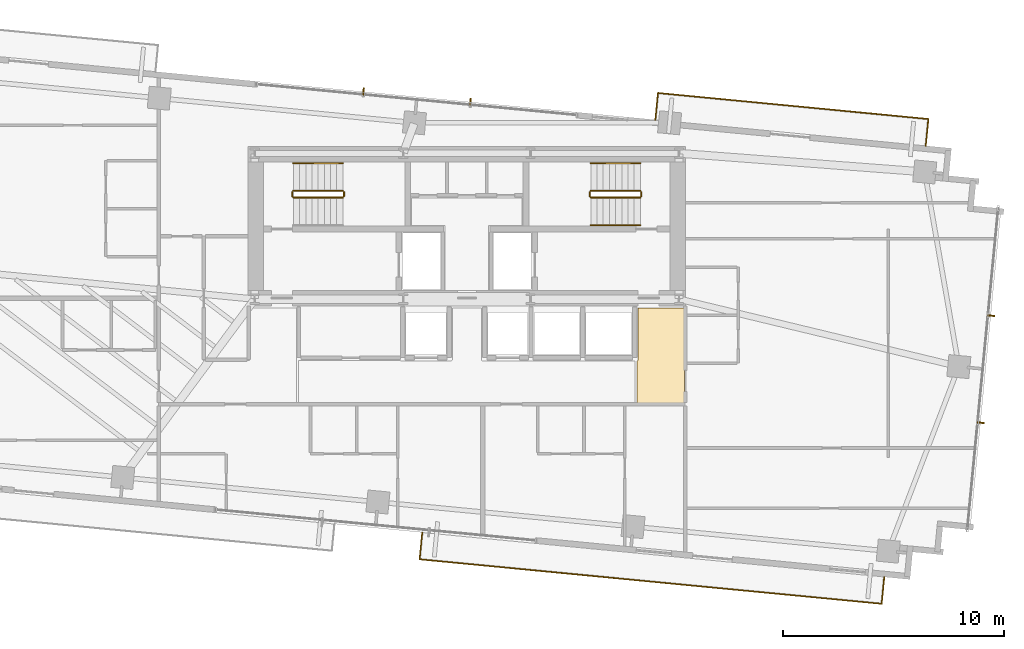
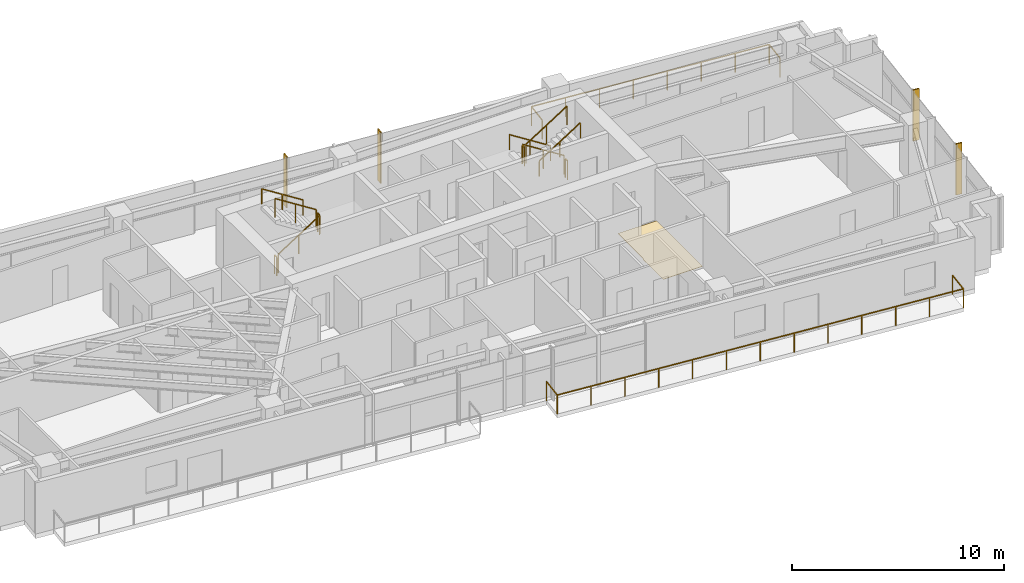
# One storey, part 20 of 20: 13 railings, 4 shading devices, 1 covering.
"""IFC4 building model written with IfcOpenShell, lengths in metres."""

import ifcopenshell
import ifcopenshell.guid

model = None  # the IFC model being written
_history = None  # IfcOwnerHistory: only IFC2X3 demands one
_inside = {}  # id of a spatial element -> (the spatial element, [elements in it])
_under = {}  # id of a project, library or spatial element -> (it, [spatial elements below it])
_declared = {}  # id of a project -> (the project, [libraries it declares])
_typed = {}  # id of a type object -> (the type object, [elements of that type])
_made_of = {}  # id of a material, layer set ... -> (it, [elements and type objects made of it])


def new_model(schema):
    """Start an empty IFC model of exactly this schema.

    Asked for "IFC4X3", IfcOpenShell would pick the latest addendum, in which some entities
    have other attributes; the version numbers below select the first issue.
    IFC2X3 requires an IfcOwnerHistory on every rooted entity: one is made here for all.
    """
    global model, _history
    if schema == "IFC4X3":
        model = ifcopenshell.file(schema_version=(4, 3, 0, 0))
    else:
        model = ifcopenshell.file(schema=schema)
    _inside.clear()
    _under.clear()
    _declared.clear()
    _typed.clear()
    _made_of.clear()
    _history = None
    if model.schema == "IFC2X3":
        org = make("IfcOrganization", Name="unknown")
        user = make(
            "IfcPersonAndOrganization",
            ThePerson=make("IfcPerson", FamilyName="unknown"),
            TheOrganization=org,
        )
        app = make(
            "IfcApplication",
            ApplicationDeveloper=org,
            Version="unknown",
            ApplicationFullName="unknown",
            ApplicationIdentifier="unknown",
        )
        _history = make(
            "IfcOwnerHistory",
            OwningUser=user,
            OwningApplication=app,
            ChangeAction="ADDED",
            CreationDate=0,
        )
    return model


def make(cls, **values):
    """One entity of the class cls with the attributes given. An attribute that is None is left unset."""
    return model.create_entity(
        cls, **{name: value for name, value in values.items() if value is not None}
    )


def rooted(cls, **values):
    """An entity with a GlobalId (a new one), such as an element, a storey or a relation."""
    return make(cls, GlobalId=ifcopenshell.guid.new(), OwnerHistory=_history, **values)


def si_unit(unit_type, name, prefix=None):
    """IfcSIUnit, for example si_unit("LENGTHUNIT", "METRE", prefix="MILLI")."""
    return make("IfcSIUnit", UnitType=unit_type, Prefix=prefix, Name=name)


def assignment(units):
    """IfcUnitAssignment: the units of a project."""
    return None if units is None else make("IfcUnitAssignment", Units=units)


def point(xyz):
    """IfcCartesianPoint."""
    return None if xyz is None else make("IfcCartesianPoint", Coordinates=xyz)


def direction(xyz):
    """IfcDirection."""
    return None if xyz is None else make("IfcDirection", DirectionRatios=xyz)


def frame(location, z_axis=None, x_axis=None):
    """IfcAxis2Placement3D, a coordinate frame: its origin and axes. An axis left out is left unset."""
    return make(
        "IfcAxis2Placement3D",
        Location=point(location),
        Axis=direction(z_axis),
        RefDirection=direction(x_axis),
    )


def frame_2d(location, x_axis=None):
    """IfcAxis2Placement2D, a coordinate frame in the plane: its origin and x axis."""
    return make(
        "IfcAxis2Placement2D", Location=point(location), RefDirection=direction(x_axis)
    )


def origin():
    """The frame at (0, 0, 0) with its axes left unset."""
    return frame((0.0, 0.0, 0.0))


def origin_2d():
    """The frame at (0, 0) in the plane with its x axis left unset."""
    return frame_2d((0.0, 0.0))


def place(relative_to, where):
    """IfcLocalPlacement: puts the frame where relative to a parent placement (None: the world)."""
    return make(
        "IfcLocalPlacement", PlacementRelTo=relative_to, RelativePlacement=where
    )


def context(
    kind, dimensions, precision=None, world=None, true_north=None, identifier=None
):
    """IfcGeometricRepresentationContext, for example the 3D "Model" context."""
    return make(
        "IfcGeometricRepresentationContext",
        ContextIdentifier=identifier,
        ContextType=kind,
        CoordinateSpaceDimension=dimensions,
        Precision=precision,
        WorldCoordinateSystem=world,
        TrueNorth=true_north,
    )


def subcontext(parent, identifier, kind, view, scale=None):
    """IfcGeometricRepresentationSubContext, for example "Body" below "Model"."""
    return make(
        "IfcGeometricRepresentationSubContext",
        ContextIdentifier=identifier,
        ContextType=kind,
        ParentContext=parent,
        TargetScale=scale,
        TargetView=view,
    )


def project(units=None, contexts=None):
    """IfcProject with its units and contexts."""
    return rooted(
        "IfcProject",
        Name="project",
        RepresentationContexts=contexts,
        UnitsInContext=assignment(units),
    )


def spatial(cls, under=None, at=None, **own):
    """A site, building, storey or space (cls), placed at a placement, below another one or the project."""
    s = rooted(cls, ObjectPlacement=at, **own)
    if under is not None:
        _under.setdefault(under.id(), (under, []))[1].append(s)
    return s


def polyline(points):
    """IfcPolyline through the points."""
    return make("IfcPolyline", Points=[point(p) for p in points])


def profile(cls, at=None, kind="AREA", **sizes):
    """A parametric profile (cls). Its sizes go by their IFC names, for example OverallWidth=200.0."""
    return make(cls, ProfileType=kind, Position=at, **sizes)


def rectangle(**sizes):
    """IfcRectangleProfileDef."""
    return profile("IfcRectangleProfileDef", **sizes)


def outline(outer, holes=None, kind="AREA"):
    """IfcArbitraryClosedProfileDef: a profile drawn as a closed curve; with holes, ...WithVoids."""
    if holes is None:
        return make("IfcArbitraryClosedProfileDef", ProfileType=kind, OuterCurve=outer)
    return make(
        "IfcArbitraryProfileDefWithVoids",
        ProfileType=kind,
        OuterCurve=outer,
        InnerCurves=holes,
    )


def extrude(swept, where, along, depth):
    """IfcExtrudedAreaSolid: the profile swept, set in the frame where, extruded along a direction by depth."""
    return make(
        "IfcExtrudedAreaSolid",
        SweptArea=swept,
        Position=where,
        ExtrudedDirection=direction(along),
        Depth=depth,
    )


def shape(context_of_items, identifier, shape_type, items):
    """IfcShapeRepresentation: the items that make up one representation, for example the "Body"."""
    return make(
        "IfcShapeRepresentation",
        ContextOfItems=context_of_items,
        RepresentationIdentifier=identifier,
        RepresentationType=shape_type,
        Items=items,
    )


def source(mapping_origin, context_of_items, identifier, shape_type, items):
    """IfcRepresentationMap: a shape defined once, which mapped items show again and again."""
    return make(
        "IfcRepresentationMap",
        MappingOrigin=mapping_origin,
        MappedRepresentation=shape(context_of_items, identifier, shape_type, items),
    )


def transform(
    local_origin,
    x_axis=None,
    y_axis=None,
    z_axis=None,
    scale=None,
    scale2=None,
    scale3=None,
    uniform=True,
):
    """IfcCartesianTransformationOperator3D, or its non-uniform kind. x_axis, y_axis, z_axis: its Axis1, 2, 3."""
    if uniform:
        return make(
            "IfcCartesianTransformationOperator3D",
            Axis1=direction(x_axis),
            Axis2=direction(y_axis),
            LocalOrigin=point(local_origin),
            Scale=scale,
            Axis3=direction(z_axis),
        )
    return make(
        "IfcCartesianTransformationOperator3DnonUniform",
        Axis1=direction(x_axis),
        Axis2=direction(y_axis),
        LocalOrigin=point(local_origin),
        Scale=scale,
        Axis3=direction(z_axis),
        Scale2=scale2,
        Scale3=scale3,
    )


def mapped(mapping_source, mapping_target):
    """IfcMappedItem: shows the shape of a source again, moved by a transform."""
    return make(
        "IfcMappedItem", MappingSource=mapping_source, MappingTarget=mapping_target
    )


def material(Name=None, Category=None):
    """IfcMaterial."""
    return make("IfcMaterial", Name=Name, Category=Category)


def layer(
    of_material, thickness, ventilated=None, Name=None, Category=None, Priority=None
):
    """IfcMaterialLayer: one layer of a wall or slab, of a material (None: an air gap)."""
    return make(
        "IfcMaterialLayer",
        Material=of_material,
        LayerThickness=thickness,
        IsVentilated=ventilated,
        Name=Name,
        Category=Category,
        Priority=Priority,
    )


def layer_set(layers, Name=None):
    """IfcMaterialLayerSet."""
    return make("IfcMaterialLayerSet", MaterialLayers=layers, LayerSetName=Name)


def made_of(thing, what):
    """Note that an element or type object is made of a material, layer set ...; save() writes the relation."""
    if what is not None:
        _made_of.setdefault(what.id(), (what, []))[1].append(thing)
    return thing


def type_object(cls, material=None, **own):
    """A type object (cls), such as IfcWallType, which elements share."""
    return made_of(rooted(cls, **own), material)


def type_shapes(of_type, sources):
    """Give a type object the sources (RepresentationMaps) that its elements show as mapped items."""
    of_type.RepresentationMaps = sources


def element(
    cls,
    number,
    at=None,
    inside=None,
    cuts=None,
    type_object=None,
    material=None,
    context=None,
    identifier="Body",
    shape_type=None,
    held_by="IfcProductDefinitionShape",
    body=None,
    shapes=None,
    **own,
):
    """One element of the class cls, such as IfcWall. Its Tag is "e" and its number.

    at: its placement. inside: the storey or other place that contains it. cuts: it is an
    opening in that element (IfcRelVoidsElement). A single representation is given by context,
    identifier, shape_type and body (its items); several are given by shapes. held_by: the class
    of the entity that holds the representations. save() writes the other relations.
    """
    e = rooted(cls, Tag="e%d" % number, ObjectPlacement=at, **own)
    if body is not None:
        shapes = [shape(context, identifier, shape_type, body)]
    if shapes is not None:
        e.Representation = make(held_by, Representations=shapes)
    if inside is not None:
        _inside.setdefault(inside.id(), (inside, []))[1].append(e)
    if cuts is not None:
        rooted(
            "IfcRelVoidsElement", RelatingBuildingElement=cuts, RelatedOpeningElement=e
        )
    if type_object is not None:
        _typed.setdefault(type_object.id(), (type_object, []))[1].append(e)
    return made_of(e, material)


def aggregate(whole, parts):
    """IfcRelAggregates: a whole, such as a stair, and the parts it consists of."""
    return rooted("IfcRelAggregates", RelatingObject=whole, RelatedObjects=parts)


def save(model, path):
    """Write the relations noted so far, then the file.

    IfcRelAggregates (storeys below a building ...), IfcRelContainedInSpatialStructure (elements
    in a storey), IfcRelDefinesByType, IfcRelAssociatesMaterial and IfcRelDeclares: one each for
    every whole, place, type object, material and project.
    """
    for whole, parts in _under.values():
        aggregate(whole, parts)
    for where, things in _inside.values():
        rooted(
            "IfcRelContainedInSpatialStructure",
            RelatedElements=things,
            RelatingStructure=where,
        )
    for kind, things in _typed.values():
        rooted("IfcRelDefinesByType", RelatedObjects=things, RelatingType=kind)
    for what, things in _made_of.values():
        rooted("IfcRelAssociatesMaterial", RelatedObjects=things, RelatingMaterial=what)
    for by, libraries in _declared.values():
        rooted("IfcRelDeclares", RelatingContext=by, RelatedDefinitions=libraries)
    model.write(path)


model = new_model("IFC4")

# Units and contexts
model_context = context("Model", 3, precision=1e-05, world=origin(), true_north=direction((0.0, 1.0)))
body_context = subcontext(model_context, "Body", "Model", "MODEL_VIEW")
ifc_project = project(units=[si_unit("LENGTHUNIT", "METRE"), si_unit("AREAUNIT", "SQUARE_METRE"), si_unit("VOLUMEUNIT", "CUBIC_METRE"), si_unit("PLANEANGLEUNIT", "RADIAN"), si_unit("MASSUNIT", "GRAM", prefix="KILO")], contexts=[model_context])

# Site, building, storey
site_placement = place(None, origin())
site = spatial("IfcSite", under=ifc_project, at=site_placement, CompositionType="ELEMENT")
building_placement = place(site_placement, origin())
building = spatial("IfcBuilding", under=site, at=building_placement, Name="Astriad Promenade Condominiums", CompositionType="ELEMENT")
storey_placement = place(building_placement, frame((0.0, 0.0, 137.39990234375)))
storey = spatial("IfcBuildingStorey", under=building, at=storey_placement, Name="L39", CompositionType="ELEMENT", Elevation=137.39990234375)

# Covering
ifc_material_1 = material(Name="Polished Lakefront Terrazzo Flooring")
ifc_layer = layer(ifc_material_1, 0.02001953125)
ifc_layer_set = layer_set([ifc_layer], Name="Polished Lakefront Terrazzo Flooring")
covering_type = type_object("IfcCoveringType", Name="COV-FLOR-TERRAZZO-20", PredefinedType="FLOORING", material=ifc_layer_set)
covering_placement = place(storey_placement, origin())
element("IfcCovering", 1, at=covering_placement, inside=storey, type_object=covering_type, Name="FLR-L39-COR-1", PredefinedType="FLOORING", context=body_context, shape_type="SweptSolid", body=[
    extrude(outline(polyline([(43.699951171875, 12.68994140625), (43.699951171875, 14.610107421875), (43.703857421875, 14.610107421875), (43.707763671875, 14.61083984375), (43.711669921875, 14.61181640625), (43.71533203125, 14.613037109375), (43.718994140625, 14.61474609375), (43.72216796875, 14.61669921875), (43.725341796875, 14.619140625), (43.728271484375, 14.62158203125), (43.73095703125, 14.62451171875), (43.7333984375, 14.627685546875), (43.7353515625, 14.631103515625), (43.737060546875, 14.634765625), (43.73828125, 14.638427734375), (43.7392578125, 14.64208984375), (43.73974609375, 14.64599609375), (43.739990234375, 14.64990234375), (43.739990234375, 17.010009765625), (45.840087890625, 17.010009765625), (45.840087890625, 12.68994140625), (43.699951171875, 12.68994140625)])), origin(), (0.0, 0.0, 1.0), 0.02001953125),
])

# Shading devices
ifc_material_2 = material(Name="Anodised aluminium 6063-T6 Black Fin", Category="aluminium")
shading_device_type = type_object("IfcShadingDeviceType", Name="FIN-BLACK-260", PredefinedType="USERDEFINED", material=ifc_material_2)
shared_shape_1 = source(origin(), body_context, "Body", "SweptSolid", [
    extrude(rectangle(XDim=0.06494140625, YDim=0.320068359375, at=origin_2d()), origin(), (0.0, 0.0, 1.0), 2.93994140625),
])
type_shapes(shading_device_type, [shared_shape_1])
for number, where, z_axis, x_axis, name in (
    (2, (31.3212890625, 26.7978515625, 0.000244140625), (0.0, 0.0, 1.0), (0.995396198367, -0.09584575252, 0.0), "CW-L39-N-FIN-01"),
    (3, (36.1591796875, 26.331787109375, 0.000244140625), (0.0, 0.0, 1.0), (0.995396198367, -0.09584575252, 0.0), "CW-L39-N-FIN-02"),
    (4, (59.7197265625, 16.652587890625, 0.000244140625), (0.0, 0.0, 1.0), (-0.09584575252, -0.995396198367, 0.0), "CW-L39-E-FIN-01"),
    (5, (59.25341796875, 11.808349609375, 0.000244140625), (0.0, 0.0, 1.0), (-0.09584575252, -0.995396198367, 0.0), "CW-L39-E-FIN-02"),
):
    element("IfcShadingDevice", number, at=place(storey_placement, frame(where, z_axis=z_axis, x_axis=x_axis)), inside=storey, type_object=shading_device_type, Name=name, ObjectType="FIN", PredefinedType="USERDEFINED", context=body_context, shape_type="MappedRepresentation", body=[
        mapped(shared_shape_1, transform((0.0, 0.0, 0.0), scale=1.0)),
    ])

# Railings
ifc_material_3 = material(Name="Laminated Glass and Stainless Steel Balustrade", Category="steel")
railing_type_1 = type_object("IfcRailingType", Name="GRD-BALC-1120", PredefinedType="BALUSTRADE", material=ifc_material_3)
shared_shape_2 = source(origin(), body_context, "Body", "SweptSolid", [
    extrude(rectangle(XDim=0.048095703125, YDim=0.048095703125, at=origin_2d()), frame((0.0, 0.0, 1.09619140625), z_axis=(-0.0958382164, -0.995396923984, 0.0), x_axis=(0.995396923984, -0.0958382164, 0.0)), (0.0, 0.0, 1.0), 1.22021484375),
    extrude(rectangle(XDim=0.048095703125, YDim=0.048095703125, at=origin_2d()), frame((-0.116943359375, -1.214599609375, 1.09619140625), z_axis=(0.995396413586, -0.095843517357, 0.0), x_axis=(0.095843517357, 0.995396413586, 0.0)), (0.0, 0.0, 1.0), 21.0048828125),
    extrude(rectangle(XDim=0.048095703125, YDim=0.048095703125, at=origin_2d()), frame((20.791259765625, -3.227783203125, 1.09619140625), z_axis=(0.095857307208, 0.99539508571, 0.0), x_axis=(-0.99539508571, 0.095857307208, 0.0)), (0.0, 0.0, 1.0), 1.219970703125),
    extrude(rectangle(XDim=0.0419921875, YDim=0.0419921875, at=origin_2d()), origin(), (0.0, 0.0, 1.0), 1.072021484375),
    extrude(rectangle(XDim=0.0419921875, YDim=0.0419921875, at=origin_2d()), frame((-0.116943359375, -1.214599609375, 0.0)), (0.0, 0.0, 1.0), 1.072021484375),
    extrude(rectangle(XDim=0.0419921875, YDim=0.0419921875, at=origin_2d()), frame((1.62548828125, -1.38232421875, 0.0)), (0.0, 0.0, 1.0), 1.072021484375),
    extrude(rectangle(XDim=0.0419921875, YDim=0.0419921875, at=origin_2d()), frame((3.36767578125, -1.550048828125, 0.0)), (0.0, 0.0, 1.0), 1.072021484375),
    extrude(rectangle(XDim=0.0419921875, YDim=0.0419921875, at=origin_2d()), frame((5.110107421875, -1.7177734375, 0.0)), (0.0, 0.0, 1.0), 1.072021484375),
    extrude(rectangle(XDim=0.0419921875, YDim=0.0419921875, at=origin_2d()), frame((6.8525390625, -1.8857421875, 0.0)), (0.0, 0.0, 1.0), 1.072021484375),
    extrude(rectangle(XDim=0.0419921875, YDim=0.0419921875, at=origin_2d()), frame((8.5947265625, -2.053466796875, 0.0)), (0.0, 0.0, 1.0), 1.072021484375),
    extrude(rectangle(XDim=0.0419921875, YDim=0.0419921875, at=origin_2d()), frame((10.337158203125, -2.22119140625, 0.0)), (0.0, 0.0, 1.0), 1.072021484375),
    extrude(rectangle(XDim=0.0419921875, YDim=0.0419921875, at=origin_2d()), frame((12.07958984375, -2.388916015625, 0.0)), (0.0, 0.0, 1.0), 1.072021484375),
    extrude(rectangle(XDim=0.0419921875, YDim=0.0419921875, at=origin_2d()), frame((13.82177734375, -2.556640625, 0.0)), (0.0, 0.0, 1.0), 1.072021484375),
    extrude(rectangle(XDim=0.0419921875, YDim=0.0419921875, at=origin_2d()), frame((15.564208984375, -2.724609375, 0.0)), (0.0, 0.0, 1.0), 1.072021484375),
    extrude(rectangle(XDim=0.0419921875, YDim=0.0419921875, at=origin_2d()), frame((17.306640625, -2.892333984375, 0.0)), (0.0, 0.0, 1.0), 1.072021484375),
    extrude(rectangle(XDim=0.0419921875, YDim=0.0419921875, at=origin_2d()), frame((19.048828125, -3.06005859375, 0.0)), (0.0, 0.0, 1.0), 1.072021484375),
    extrude(rectangle(XDim=0.0419921875, YDim=0.0419921875, at=origin_2d()), frame((20.791259765625, -3.227783203125, 0.0)), (0.0, 0.0, 1.0), 1.072021484375),
    extrude(rectangle(XDim=0.0419921875, YDim=0.0419921875, at=origin_2d()), frame((20.908203125, -2.013427734375, 0.0)), (0.0, 0.0, 1.0), 1.072021484375),
])
railing_1_placement = place(storey_placement, frame((33.97900390625, 6.84130859375, 0.0)))
element("IfcRailing", 6, at=railing_1_placement, inside=storey, type_object=railing_type_1, Name="GRD-BALC-L39-SE", PredefinedType="BALUSTRADE", context=body_context, shape_type="MappedRepresentation", body=[
    mapped(shared_shape_2, transform((0.0, 0.0, 0.0), scale=1.0)),
])
shared_shape_3 = source(origin(), body_context, "Body", "SweptSolid", [
    extrude(rectangle(XDim=0.048095703125, YDim=0.048095703125, at=origin_2d()), frame((0.0, 0.0, 1.09619140625), z_axis=(0.095857307208, 0.99539508571, 0.0), x_axis=(-0.99539508571, 0.095857307208, 0.0)), (0.0, 0.0, 1.0), 1.219970703125),
    extrude(rectangle(XDim=0.048095703125, YDim=0.048095703125, at=origin_2d()), frame((0.116943359375, 1.21435546875, 1.09619140625), z_axis=(-0.99539639425, 0.095843718175, 0.0), x_axis=(-0.095843718175, -0.99539639425, 0.0)), (0.0, 0.0, 1.0), 12.293212890625),
    extrude(rectangle(XDim=0.048095703125, YDim=0.048095703125, at=origin_2d()), frame((-12.11962890625, 2.392578125, 1.09619140625), z_axis=(-0.095857307208, -0.99539508571, 0.0), x_axis=(0.99539508571, -0.095857307208, 0.0)), (0.0, 0.0, 1.0), 1.219970703125),
    extrude(rectangle(XDim=0.0419921875, YDim=0.0419921875, at=origin_2d()), origin(), (0.0, 0.0, 1.0), 1.072021484375),
    extrude(rectangle(XDim=0.0419921875, YDim=0.0419921875, at=origin_2d()), frame((0.116943359375, 1.21435546875, 0.0)), (0.0, 0.0, 1.0), 1.072021484375),
    extrude(rectangle(XDim=0.0419921875, YDim=0.0419921875, at=origin_2d()), frame((-1.631103515625, 1.382568359375, 0.0)), (0.0, 0.0, 1.0), 1.072021484375),
    extrude(rectangle(XDim=0.0419921875, YDim=0.0419921875, at=origin_2d()), frame((-3.379150390625, 1.551025390625, 0.0)), (0.0, 0.0, 1.0), 1.072021484375),
    extrude(rectangle(XDim=0.0419921875, YDim=0.0419921875, at=origin_2d()), frame((-5.127197265625, 1.71923828125, 0.0)), (0.0, 0.0, 1.0), 1.072021484375),
    extrude(rectangle(XDim=0.0419921875, YDim=0.0419921875, at=origin_2d()), frame((-6.87548828125, 1.8876953125, 0.0)), (0.0, 0.0, 1.0), 1.072021484375),
    extrude(rectangle(XDim=0.0419921875, YDim=0.0419921875, at=origin_2d()), frame((-8.62353515625, 2.055908203125, 0.0)), (0.0, 0.0, 1.0), 1.072021484375),
    extrude(rectangle(XDim=0.0419921875, YDim=0.0419921875, at=origin_2d()), frame((-10.37158203125, 2.224365234375, 0.0)), (0.0, 0.0, 1.0), 1.072021484375),
    extrude(rectangle(XDim=0.0419921875, YDim=0.0419921875, at=origin_2d()), frame((-12.11962890625, 2.392578125, 0.0)), (0.0, 0.0, 1.0), 1.072021484375),
    extrude(rectangle(XDim=0.0419921875, YDim=0.0419921875, at=origin_2d()), frame((-12.236572265625, 1.17822265625, 0.0)), (0.0, 0.0, 1.0), 1.072021484375),
])
type_shapes(railing_type_1, [shared_shape_2, shared_shape_3])
railing_2_placement = place(storey_placement, frame((56.765869140625, 24.337646484375, 0.0)))
element("IfcRailing", 7, at=railing_2_placement, inside=storey, type_object=railing_type_1, Name="GRD-BALC-L39-NE", PredefinedType="BALUSTRADE", context=body_context, shape_type="MappedRepresentation", body=[
    mapped(shared_shape_3, transform((0.0, 0.0, 0.0), scale=1.0)),
])
ifc_material_4 = material(Name="Painted Galvanised Steel Guardrail", Category="steel")
railing_type_2 = type_object("IfcRailingType", Name="GRD-STAIR-1100", PredefinedType="GUARDRAIL", material=ifc_material_4)
shared_shape_4 = source(origin(), body_context, "Body", "SweptSolid", [
    extrude(rectangle(XDim=0.048095703125, YDim=0.048095703125, at=origin_2d()), frame((0.0, 0.0, 1.076171875), z_axis=(0.0, 1.0, 0.0), x_axis=(-1.0, 0.0, 0.0)), (0.0, 0.0, 1.0), 0.199951171875),
    extrude(rectangle(XDim=0.0419921875, YDim=0.0419921875, at=origin_2d()), origin(), (0.0, 0.0, 1.0), 1.052001953125),
    extrude(rectangle(XDim=0.0419921875, YDim=0.0419921875, at=origin_2d()), frame((0.0, 0.199951171875, 0.0)), (0.0, 0.0, 1.0), 1.052001953125),
])
for number, where, name in (
    (8, (30.43994140625, 22.050048828125, 1.60009765625), "L39 ST-1 stair guard 2"),
    (9, (28.10009765625, 22.050048828125, 0.0), "L39 ST-1 stair guard 4"),
):
    element("IfcRailing", number, at=place(storey_placement, frame(where)), inside=storey, type_object=railing_type_2, Name=name, PredefinedType="GUARDRAIL", context=body_context, shape_type="MappedRepresentation", body=[
        mapped(shared_shape_4, transform((0.0, 0.0, 0.0), scale=1.0)),
    ])
shared_shape_5 = source(origin(), body_context, "Body", "SweptSolid", [
    extrude(rectangle(XDim=0.048095703125, YDim=0.048095703125, at=origin_2d()), frame((0.0, 0.0, 1.076171875), z_axis=(0.84418770128, 0.0, 0.536047689118), x_axis=(0.0, 1.0, 0.0)), (0.0, 0.0, 1.0), 2.6533203125),
    extrude(rectangle(XDim=0.0419921875, YDim=0.0419921875, at=origin_2d()), origin(), (0.0, 0.0, 1.0), 1.052001953125),
    extrude(rectangle(XDim=0.0419921875, YDim=0.0419921875, at=origin_2d()), frame((1.1201171875, 0.0, 0.711181640625)), (0.0, 0.0, 1.0), 1.052001953125),
    extrude(rectangle(XDim=0.0419921875, YDim=0.0419921875, at=origin_2d()), frame((2.239990234375, 0.0, 1.42236328125)), (0.0, 0.0, 1.0), 1.052001953125),
])
railing_3_placement = place(storey_placement, frame((41.610107421875, 22.0, 1.77783203125)))
element("IfcRailing", 10, at=railing_3_placement, inside=storey, type_object=railing_type_2, Name="L39 ST-2 stair guard 3", PredefinedType="GUARDRAIL", context=body_context, shape_type="MappedRepresentation", body=[
    mapped(shared_shape_5, transform((0.0, 0.0, 0.0), scale=1.0)),
])
shared_shape_6 = source(origin(), body_context, "Body", "SweptSolid", [
    extrude(rectangle(XDim=0.048095703125, YDim=0.048095703125, at=origin_2d()), frame((0.0, 0.0, 1.076171875), z_axis=(-0.8442293374, 0.0, 0.53598211339), x_axis=(0.0, -1.0, 0.0)), (0.0, 0.0, 1.0), 2.6533203125),
    extrude(rectangle(XDim=0.0419921875, YDim=0.0419921875, at=origin_2d()), origin(), (0.0, 0.0, 1.0), 1.052001953125),
    extrude(rectangle(XDim=0.0419921875, YDim=0.0419921875, at=origin_2d()), frame((-1.1201171875, 0.0, 0.7109375)), (0.0, 0.0, 1.0), 1.052001953125),
    extrude(rectangle(XDim=0.0419921875, YDim=0.0419921875, at=origin_2d()), frame((-2.239990234375, 0.0, 1.422119140625)), (0.0, 0.0, 1.0), 1.052001953125),
])
railing_4_placement = place(storey_placement, frame((43.85009765625, 22.300048828125, 0.177978515625)))
element("IfcRailing", 11, at=railing_4_placement, inside=storey, type_object=railing_type_2, Name="L39 ST-2 stair guard 1", PredefinedType="GUARDRAIL", context=body_context, shape_type="MappedRepresentation", body=[
    mapped(shared_shape_6, transform((0.0, 0.0, 0.0), scale=1.0)),
])
ifc_material_5 = material(Name="Brushed Stainless Steel Handrail", Category="steel")
railing_type_3 = type_object("IfcRailingType", Name="HRL-STAIR-920", PredefinedType="HANDRAIL", material=ifc_material_5)
shared_shape_7 = source(origin(), body_context, "Body", "SweptSolid", [
    extrude(rectangle(XDim=0.048095703125, YDim=0.048095703125, at=origin_2d()), frame((0.0, 0.0, 0.8759765625), z_axis=(0.84418770128, 0.0, 0.536047689118), x_axis=(0.0, 1.0, 0.0)), (0.0, 0.0, 1.0), 2.6533203125),
    extrude(rectangle(XDim=0.0419921875, YDim=0.0419921875, at=origin_2d()), origin(), (0.0, 0.0, 1.0), 0.851806640625),
    extrude(rectangle(XDim=0.0419921875, YDim=0.0419921875, at=origin_2d()), frame((1.1201171875, 0.0, 0.711181640625)), (0.0, 0.0, 1.0), 0.851806640625),
    extrude(rectangle(XDim=0.0419921875, YDim=0.0419921875, at=origin_2d()), frame((2.239990234375, 0.0, 1.42236328125)), (0.0, 0.0, 1.0), 0.851806640625),
])
railing_5_placement = place(storey_placement, frame((41.610107421875, 20.75, 1.77783203125)))
element("IfcRailing", 12, at=railing_5_placement, inside=storey, type_object=railing_type_3, Name="L39 ST-2 stair handrail 2", PredefinedType="HANDRAIL", context=body_context, shape_type="MappedRepresentation", body=[
    mapped(shared_shape_7, transform((0.0, 0.0, 0.0), scale=1.0)),
])
shared_shape_8 = source(origin(), body_context, "Body", "SweptSolid", [
    extrude(rectangle(XDim=0.048095703125, YDim=0.048095703125, at=origin_2d()), frame((0.0, 0.0, 0.8759765625), z_axis=(-0.8442293374, 0.0, 0.53598211339), x_axis=(0.0, -1.0, 0.0)), (0.0, 0.0, 1.0), 2.6533203125),
    extrude(rectangle(XDim=0.0419921875, YDim=0.0419921875, at=origin_2d()), origin(), (0.0, 0.0, 1.0), 0.851806640625),
    extrude(rectangle(XDim=0.0419921875, YDim=0.0419921875, at=origin_2d()), frame((-1.1201171875, 0.0, 0.7109375)), (0.0, 0.0, 1.0), 0.851806640625),
    extrude(rectangle(XDim=0.0419921875, YDim=0.0419921875, at=origin_2d()), frame((-2.239990234375, 0.0, 1.422119140625)), (0.0, 0.0, 1.0), 0.851806640625),
])
railing_6_placement = place(storey_placement, frame((43.85009765625, 23.550048828125, 0.177978515625)))
element("IfcRailing", 13, at=railing_6_placement, inside=storey, type_object=railing_type_3, Name="L39 ST-2 stair handrail 1", PredefinedType="HANDRAIL", context=body_context, shape_type="MappedRepresentation", body=[
    mapped(shared_shape_8, transform((0.0, 0.0, 0.0), scale=1.0)),
])
shared_shape_9 = source(origin(), body_context, "Body", "SweptSolid", [
    extrude(rectangle(XDim=0.048095703125, YDim=0.048095703125, at=origin_2d()), frame((0.0, 0.0, 1.076171875), z_axis=(0.8442293374, 0.0, 0.53598211339), x_axis=(0.0, 1.0, 0.0)), (0.0, 0.0, 1.0), 2.6533203125),
    extrude(rectangle(XDim=0.0419921875, YDim=0.0419921875, at=origin_2d()), origin(), (0.0, 0.0, 1.0), 1.052001953125),
    extrude(rectangle(XDim=0.0419921875, YDim=0.0419921875, at=origin_2d()), frame((1.1201171875, 0.0, 0.7109375)), (0.0, 0.0, 1.0), 1.052001953125),
    extrude(rectangle(XDim=0.0419921875, YDim=0.0419921875, at=origin_2d()), frame((2.239990234375, 0.0, 1.422119140625)), (0.0, 0.0, 1.0), 1.052001953125),
])
railing_7_placement = place(storey_placement, frame((28.14990234375, 22.0, 0.177978515625)))
element("IfcRailing", 14, at=railing_7_placement, inside=storey, type_object=railing_type_2, Name="L39 ST-1 stair guard 1", PredefinedType="GUARDRAIL", context=body_context, shape_type="MappedRepresentation", body=[
    mapped(shared_shape_9, transform((0.0, 0.0, 0.0), scale=1.0)),
])
shared_shape_10 = source(origin(), body_context, "Body", "SweptSolid", [
    extrude(rectangle(XDim=0.048095703125, YDim=0.048095703125, at=origin_2d()), frame((0.0, 0.0, 1.076171875), z_axis=(-0.84418770128, 0.0, 0.536047689118), x_axis=(0.0, -1.0, 0.0)), (0.0, 0.0, 1.0), 2.6533203125),
    extrude(rectangle(XDim=0.0419921875, YDim=0.0419921875, at=origin_2d()), origin(), (0.0, 0.0, 1.0), 1.052001953125),
    extrude(rectangle(XDim=0.0419921875, YDim=0.0419921875, at=origin_2d()), frame((-1.1201171875, 0.0, 0.711181640625)), (0.0, 0.0, 1.0), 1.052001953125),
    extrude(rectangle(XDim=0.0419921875, YDim=0.0419921875, at=origin_2d()), frame((-2.239990234375, 0.0, 1.42236328125)), (0.0, 0.0, 1.0), 1.052001953125),
])
railing_8_placement = place(storey_placement, frame((30.389892578125, 22.300048828125, 1.77783203125)))
element("IfcRailing", 15, at=railing_8_placement, inside=storey, type_object=railing_type_2, Name="L39 ST-1 stair guard 3", PredefinedType="GUARDRAIL", context=body_context, shape_type="MappedRepresentation", body=[
    mapped(shared_shape_10, transform((0.0, 0.0, 0.0), scale=1.0)),
])
shared_shape_11 = source(origin(), body_context, "Body", "SweptSolid", [
    extrude(rectangle(XDim=0.048095703125, YDim=0.048095703125, at=origin_2d()), frame((0.0, 0.0, 0.8759765625), z_axis=(-0.84418770128, 0.0, 0.536047689118), x_axis=(0.0, -1.0, 0.0)), (0.0, 0.0, 1.0), 2.6533203125),
    extrude(rectangle(XDim=0.0419921875, YDim=0.0419921875, at=origin_2d()), origin(), (0.0, 0.0, 1.0), 0.851806640625),
    extrude(rectangle(XDim=0.0419921875, YDim=0.0419921875, at=origin_2d()), frame((-1.1201171875, 0.0, 0.711181640625)), (0.0, 0.0, 1.0), 0.851806640625),
    extrude(rectangle(XDim=0.0419921875, YDim=0.0419921875, at=origin_2d()), frame((-2.239990234375, 0.0, 1.42236328125)), (0.0, 0.0, 1.0), 0.851806640625),
])
type_shapes(railing_type_3, [shared_shape_7, shared_shape_8, shared_shape_11])
railing_9_placement = place(storey_placement, frame((30.389892578125, 23.550048828125, 1.77783203125)))
element("IfcRailing", 16, at=railing_9_placement, inside=storey, type_object=railing_type_3, Name="L39 ST-1 stair handrail 2", PredefinedType="HANDRAIL", context=body_context, shape_type="MappedRepresentation", body=[
    mapped(shared_shape_11, transform((0.0, 0.0, 0.0), scale=1.0)),
])
shared_shape_12 = source(origin(), body_context, "Body", "SweptSolid", [
    extrude(rectangle(XDim=0.048095703125, YDim=0.048095703125, at=origin_2d()), frame((0.0, 0.0, 1.076171875), z_axis=(0.0, -1.0, 0.0), x_axis=(1.0, 0.0, 0.0)), (0.0, 0.0, 1.0), 0.199951171875),
    extrude(rectangle(XDim=0.0419921875, YDim=0.0419921875, at=origin_2d()), origin(), (0.0, 0.0, 1.0), 1.052001953125),
    extrude(rectangle(XDim=0.0419921875, YDim=0.0419921875, at=origin_2d()), frame((0.0, -0.199951171875, 0.0)), (0.0, 0.0, 1.0), 1.052001953125),
])
type_shapes(railing_type_2, [shared_shape_4, shared_shape_5, shared_shape_6, shared_shape_9, shared_shape_10, shared_shape_12])
for number, where, name in (
    (17, (41.56005859375, 22.25, 1.60009765625), "L39 ST-2 stair guard 2"),
    (18, (43.89990234375, 22.25, 0.0), "L39 ST-2 stair guard 4"),
):
    element("IfcRailing", number, at=place(storey_placement, frame(where)), inside=storey, type_object=railing_type_2, Name=name, PredefinedType="GUARDRAIL", context=body_context, shape_type="MappedRepresentation", body=[
        mapped(shared_shape_12, transform((0.0, 0.0, 0.0), scale=1.0)),
    ])

save(model, "model.ifc")
